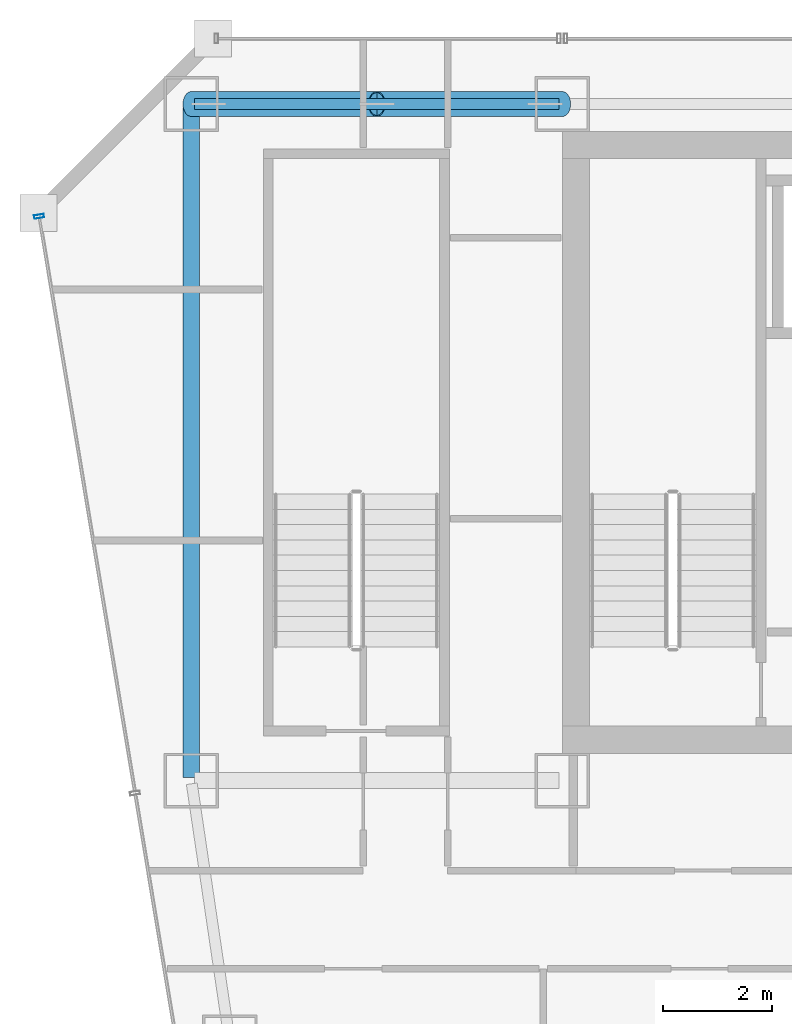
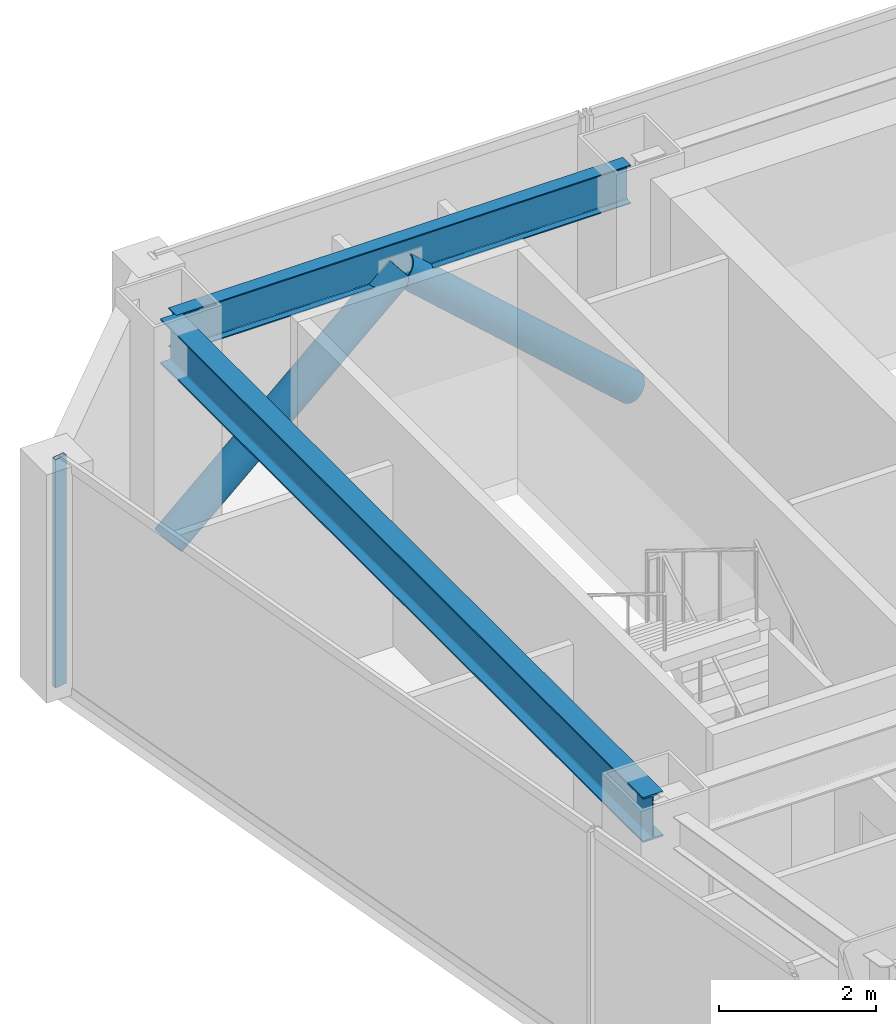
# One storey, part 21 of 38: 3 members, 2 beams, 1 element without a shape of its own.
"""IFC4 building model written with IfcOpenShell, lengths in metres."""

from ifc_helpers import new_model, si_unit, direction, frame, origin, origin_2d, place, context, subcontext, project, spatial, hollow_rectangle, hollow_circle, i_section, extrude, material, material_profile, profile_set, type_object, element, aggregate, save


model = new_model("IFC4")

# Units and contexts
model_context = context("Model", 3, precision=1e-05, world=origin(), true_north=direction((0.0, 1.0)))
body_context = subcontext(model_context, "Body", "Model", "MODEL_VIEW")
ifc_project = project(units=[si_unit("LENGTHUNIT", "METRE"), si_unit("AREAUNIT", "SQUARE_METRE"), si_unit("VOLUMEUNIT", "CUBIC_METRE"), si_unit("PLANEANGLEUNIT", "RADIAN"), si_unit("MASSUNIT", "GRAM", prefix="KILO")], contexts=[model_context])

# Site, building, storey
site_placement = place(None, origin())
site = spatial("IfcSite", under=ifc_project, at=site_placement, CompositionType="ELEMENT")
building_placement = place(site_placement, origin())
building = spatial("IfcBuilding", under=site, at=building_placement, Name="Saevonmaru Cultural Tower", CompositionType="ELEMENT")
storey_placement = place(building_placement, frame((0.0, 0.0, 137.199951171875)))
storey = spatial("IfcBuildingStorey", under=building, at=storey_placement, Name="L29", CompositionType="ELEMENT", Elevation=137.199951171875)

# Beams
ifc_material_1 = material(Name="Steel SM355", Category="steel")
ifc_material_profile_1 = material_profile(ifc_material_1, i_section(OverallWidth=0.300048828125, OverallDepth=0.699951171875, WebThickness=0.012939453125, FlangeThickness=0.02392578125, FilletRadius=0.02587890625, at=origin_2d()), Name="H-700x300x13x24")
ifc_profile_set_1 = profile_set([ifc_material_profile_1], Name="Steel SM355")
beam_type_1 = type_object("IfcBeamType", Name="BM-G-H700", PredefinedType="BEAM", material=ifc_profile_set_1)
beam_1_placement = place(storey_placement, frame((6.800048828125, 54.739990234375, 3.199951171875), z_axis=(0.0, -1.0, 0.0), x_axis=(1.0, 0.0, 0.0)))
element("IfcBeam", 1, at=beam_1_placement, inside=storey, type_object=beam_type_1, Name="L29 Spine Transverse Girder W", PredefinedType="BEAM", context=body_context, shape_type="SweptSolid", body=[
    extrude(i_section(OverallWidth=0.300048828125, OverallDepth=0.699951171875, WebThickness=0.012939453125, FlangeThickness=0.02392578125, FilletRadius=0.02587890625, at=origin_2d()), origin(), (0.0, 0.0, 1.0), 12.280029296875),
])
ifc_material_profile_2 = material_profile(ifc_material_1, i_section(OverallWidth=0.199951171875, OverallDepth=0.60009765625, WebThickness=0.010986328125, FlangeThickness=0.01708984375, FilletRadius=0.02197265625, at=origin_2d()), Name="H-600x200x11x17")
ifc_profile_set_2 = profile_set([ifc_material_profile_2], Name="Steel SM355")
beam_type_2 = type_object("IfcBeamType", Name="BM-SP-H600", PredefinedType="SPANDREL", material=ifc_profile_set_2)
beam_2_placement = place(storey_placement, frame((6.860107421875, 54.800048828125, 3.25), z_axis=(1.0, 0.0, 0.0), x_axis=(0.0, 1.0, 0.0)))
element("IfcBeam", 2, at=beam_2_placement, inside=storey, type_object=beam_type_2, Name="L29 North Spine Girder 1", PredefinedType="SPANDREL", context=body_context, shape_type="SweptSolid", body=[
    extrude(i_section(OverallWidth=0.199951171875, OverallDepth=0.60009765625, WebThickness=0.010986328125, FlangeThickness=0.01708984375, FilletRadius=0.02197265625, at=origin_2d()), origin(), (0.0, 0.0, 1.0), 6.679931640625),
])

# Members
ifc_material_2 = material(Name="Steel SM420", Category="steel")
ifc_material_profile_3 = material_profile(ifc_material_2, hollow_circle(Radius=0.228515625, WallThickness=0.02001953125, at=origin_2d()), Name="CHS-457.2x20")
ifc_profile_set_3 = profile_set([ifc_material_profile_3], Name="Steel SM420")
member_type_1 = type_object("IfcMemberType", Name="MB-PBR-CHS457", PredefinedType="BRACE", material=ifc_profile_set_3)
for number, where, z_axis, x_axis, name in (
    (3, (6.800048828125, 54.800048828125, 0.02001953125), (0.744366945704, 0.0, 0.667770806597), (0.0, 1.0, 0.0), "L29 Perimeter Braced-Tube Diagonal WN1"),
    (4, (13.60009765625, 54.800048828125, 0.02001953125), (-0.744390779303, 0.0, 0.66774423823), (0.0, -1.0, 0.0), "L29 Perimeter Braced-Tube Diagonal WN2"),
):
    element("IfcMember", number, at=place(storey_placement, frame(where, z_axis=z_axis, x_axis=x_axis)), inside=storey, type_object=member_type_1, Name=name, PredefinedType="BRACE", context=body_context, shape_type="SweptSolid", body=[
        extrude(hollow_circle(Radius=0.228515625, WallThickness=0.02001953125, at=origin_2d()), origin(), (0.0, 0.0, 1.0), 4.567626953125),
    ])

# Curtain wall, member
ifc_material_3 = material(Name="Satin Bronze Anodised Aluminium", Category="aluminium")
curtain_wall_type = type_object("IfcCurtainWallType", Name="CW-TYP-A", PredefinedType="NOTDEFINED", material=ifc_material_3)
curtain_wall_placement = place(storey_placement, origin())
curtain_wall = element("IfcCurtainWall", 5, at=curtain_wall_placement, inside=storey, type_object=curtain_wall_type, Name="L29 Unitised Curtain Wall E12", PredefinedType="NOTDEFINED")
ifc_material_profile_4 = material_profile(ifc_material_3, hollow_rectangle(XDim=0.06494140625, YDim=0.179931640625, WallThickness=0.00390625, at=origin_2d()), Name="ALU-MULL-180x65x4")
ifc_profile_set_4 = profile_set([ifc_material_profile_4], Name="Satin Bronze Anodised Aluminium")
member_type_2 = type_object("IfcMemberType", Name="ML-CW-180x65", PredefinedType="MULLION", material=ifc_profile_set_4)
member_placement = place(storey_placement, frame((4.009765625, 52.74072265625, 0.0), z_axis=(0.0, 0.0, 1.0), x_axis=(0.163998702345, -0.986460554523, 0.0)))
member = element("IfcMember", 6, at=member_placement, type_object=member_type_2, Name="CW-TW-L29-E12 mullion 1", PredefinedType="MULLION", context=body_context, shape_type="SweptSolid", body=[
    extrude(hollow_rectangle(XDim=0.06494140625, YDim=0.179931640625, WallThickness=0.00390625, at=origin_2d()), origin(), (0.0, 0.0, 1.0), 3.550048828125),
])
aggregate(curtain_wall, [member])

save(model, "model.ifc")
